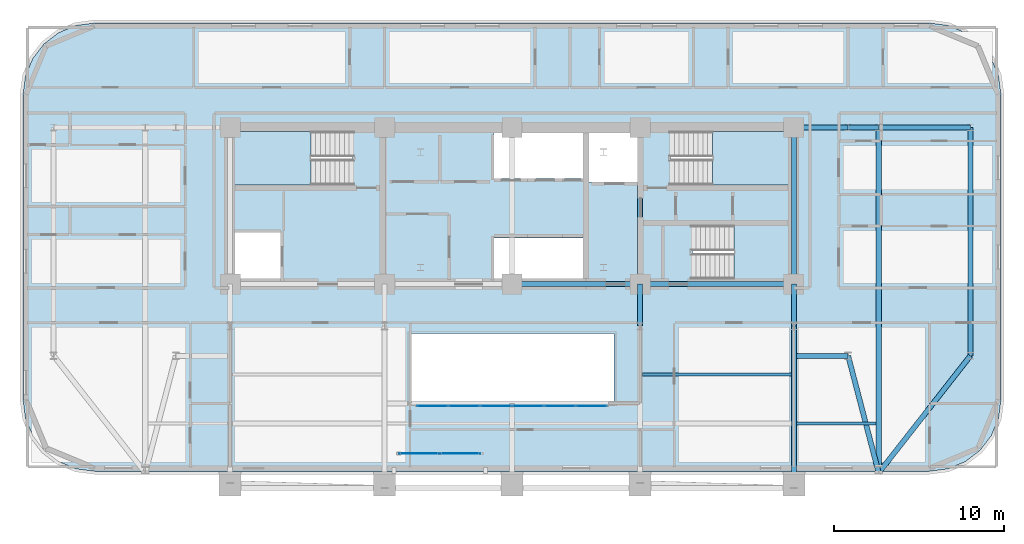
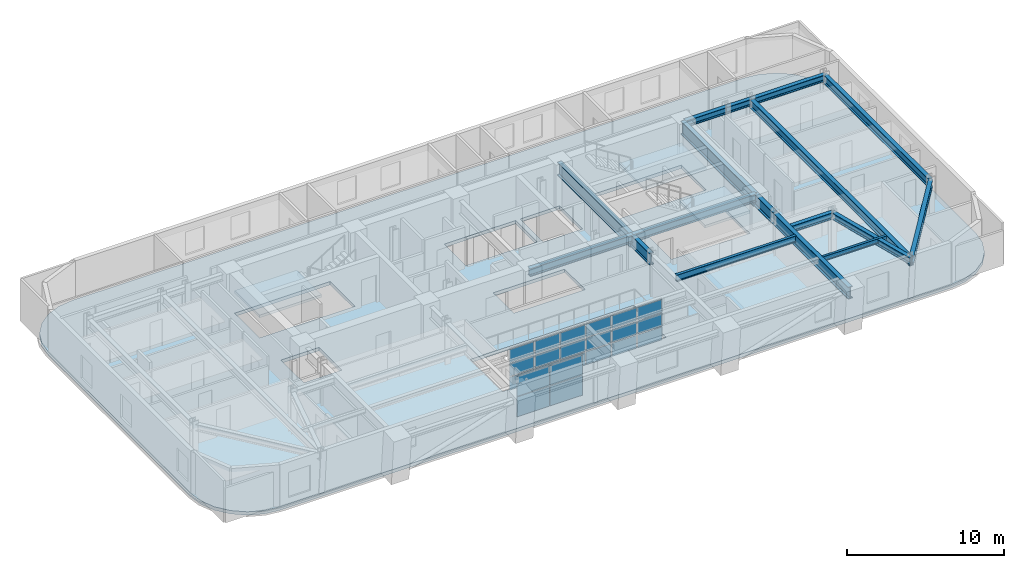
# One storey, part 6 of 15: 22 plates, 17 beams, 4 slabs, 5 elements without a shape of their own.
"""IFC4 building model written with IfcOpenShell, lengths in metres."""

from ifc_helpers import new_model, si_unit, direction, frame, origin, origin_2d, place, context, subcontext, project, spatial, polyline, rectangle, i_section, outline, extrude, material, layer, layer_set, material_profile, profile_set, type_object, element, aggregate, save


model = new_model("IFC4")

# Units and contexts
model_context = context("Model", 3, precision=1e-05, world=origin(), true_north=direction((0.0, 1.0)))
body_context = subcontext(model_context, "Body", "Model", "MODEL_VIEW")
ifc_project = project(units=[si_unit("LENGTHUNIT", "METRE"), si_unit("AREAUNIT", "SQUARE_METRE"), si_unit("VOLUMEUNIT", "CUBIC_METRE"), si_unit("PLANEANGLEUNIT", "RADIAN"), si_unit("MASSUNIT", "GRAM", prefix="KILO")], contexts=[model_context])

# Site, building, storey
site_placement = place(None, origin())
site = spatial("IfcSite", under=ifc_project, at=site_placement, CompositionType="ELEMENT")
building_placement = place(site_placement, origin())
building = spatial("IfcBuilding", under=site, at=building_placement, Name="Zarnavel Station Tower", CompositionType="ELEMENT")
storey_placement = place(building_placement, frame((0.0, 0.0, 111.800048828125)))
storey = spatial("IfcBuildingStorey", under=building, at=storey_placement, Name="L30", CompositionType="ELEMENT", Elevation=111.800048828125)

# Beams
ifc_material_1 = material(Name="Steel S355J2", Category="steel")
ifc_material_profile_1 = material_profile(ifc_material_1, i_section(OverallWidth=0.199951171875, OverallDepth=0.5, WebThickness=0.01025390625, FlangeThickness=0.01611328125, FilletRadius=0.02099609375, at=origin_2d()), Name="IPE500")
ifc_profile_set_1 = profile_set([ifc_material_profile_1], Name="Steel S355J2")
beam_type_1 = type_object("IfcBeamType", Name="FB_IPE500", PredefinedType="BEAM", material=ifc_profile_set_1)
beam_1_placement = place(storey_placement, frame((36.4951171875, 22.5009765625, 2.989990234375), z_axis=(1.0, 0.0, 0.0), x_axis=(0.0, 1.0, 0.0)))
element("IfcBeam", 1, at=beam_1_placement, inside=storey, type_object=beam_type_1, Name="L30 East Bay Beam 2", PredefinedType="BEAM", context=body_context, shape_type="SweptSolid", body=[
    extrude(i_section(OverallWidth=0.199951171875, OverallDepth=0.5, WebThickness=0.01025390625, FlangeThickness=0.01611328125, FilletRadius=0.02099609375, at=origin_2d()), origin(), (0.0, 0.0, 1.0), 8.759765625),
])
ifc_material_2 = material(Name="Steel S355J2", Category="steel")
ifc_material_profile_2 = material_profile(ifc_material_2, i_section(OverallWidth=0.300048828125, OverallDepth=0.5, WebThickness=0.014404296875, FlangeThickness=0.028076171875, FilletRadius=0.027099609375, at=origin_2d()), Name="HEB500")
ifc_profile_set_2 = profile_set([ifc_material_profile_2], Name="Steel S355J2")
beam_type_2 = type_object("IfcBeamType", Name="FG_HEB500", PredefinedType="USERDEFINED", material=ifc_profile_set_2)
for number, where, z_axis, x_axis, name in (
    (2, (45.544921875, 23.60009765625, 2.989990234375), (1.0, 0.0, 0.0), (0.0, 1.0, 0.0), "L30 East Wing South Tie 1"),
    (3, (45.544921875, 37.050048828125, 2.989990234375), (1.0, 0.0, 0.0), (0.0, 1.0, 0.0), "L30 East Wing North Tie 1"),
):
    element("IfcBeam", number, at=place(storey_placement, frame(where, z_axis=z_axis, x_axis=x_axis)), inside=storey, type_object=beam_type_2, Name=name, ObjectType="GIRDER", PredefinedType="USERDEFINED", context=body_context, shape_type="SweptSolid", body=[
        extrude(i_section(OverallWidth=0.300048828125, OverallDepth=0.5, WebThickness=0.014404296875, FlangeThickness=0.028076171875, FilletRadius=0.027099609375, at=origin_2d()), origin(), (0.0, 0.0, 1.0), 3.05517578125),
    ])
beam_2_placement = place(storey_placement, frame((48.60009765625, 23.60009765625, 2.989990234375), z_axis=(0.252533454047, -0.967588163728, 0.0), x_axis=(0.967588163728, 0.252533454047, 0.0)))
element("IfcBeam", 4, at=beam_2_placement, inside=storey, type_object=beam_type_2, Name="L30 East Wing South Tie 2", ObjectType="GIRDER", PredefinedType="USERDEFINED", context=body_context, shape_type="SweptSolid", body=[
    extrude(i_section(OverallWidth=0.300048828125, OverallDepth=0.5, WebThickness=0.014404296875, FlangeThickness=0.028076171875, FilletRadius=0.027099609375, at=origin_2d()), origin(), (0.0, 0.0, 1.0), 7.126953125),
])
beam_3_placement = place(storey_placement, frame((48.60009765625, 37.050048828125, 2.989990234375), z_axis=(1.0, 0.0, 0.0), x_axis=(0.0, 1.0, 0.0)))
element("IfcBeam", 5, at=beam_3_placement, inside=storey, type_object=beam_type_2, Name="L30 East Wing North Tie 2", ObjectType="GIRDER", PredefinedType="USERDEFINED", context=body_context, shape_type="SweptSolid", body=[
    extrude(i_section(OverallWidth=0.300048828125, OverallDepth=0.5, WebThickness=0.014404296875, FlangeThickness=0.028076171875, FilletRadius=0.027099609375, at=origin_2d()), origin(), (0.0, 0.0, 1.0), 1.7998046875),
])
beam_4_placement = place(storey_placement, frame((50.39990234375, 16.7041015625, 2.989990234375), z_axis=(0.616540472914, 0.787323215242, 0.0), x_axis=(-0.787323215242, 0.616540472914, 0.0)))
element("IfcBeam", 6, at=beam_4_placement, inside=storey, type_object=beam_type_2, Name="L30 East Wing South Tie 3", ObjectType="GIRDER", PredefinedType="USERDEFINED", context=body_context, shape_type="SweptSolid", body=[
    extrude(i_section(OverallWidth=0.300048828125, OverallDepth=0.5, WebThickness=0.014404296875, FlangeThickness=0.028076171875, FilletRadius=0.027099609375, at=origin_2d()), origin(), (0.0, 0.0, 1.0), 8.7587890625),
])
beam_5_placement = place(storey_placement, frame((50.39990234375, 37.050048828125, 2.989990234375), z_axis=(1.0, 0.0, 0.0), x_axis=(0.0, 1.0, 0.0)))
element("IfcBeam", 7, at=beam_5_placement, inside=storey, type_object=beam_type_2, Name="L30 East Wing North Tie 3", ObjectType="GIRDER", PredefinedType="USERDEFINED", context=body_context, shape_type="SweptSolid", body=[
    extrude(i_section(OverallWidth=0.300048828125, OverallDepth=0.5, WebThickness=0.014404296875, FlangeThickness=0.028076171875, FilletRadius=0.027099609375, at=origin_2d()), origin(), (0.0, 0.0, 1.0), 5.400146484375),
])
ifc_material_3 = material(Name="Steel S355J2", Category="steel")
ifc_material_profile_3 = material_profile(ifc_material_3, i_section(OverallWidth=0.300048828125, OverallDepth=0.60009765625, WebThickness=0.015380859375, FlangeThickness=0.030029296875, FilletRadius=0.027099609375, at=origin_2d()), Name="HEB600")
ifc_profile_set_3 = profile_set([ifc_material_profile_3], Name="Steel S355J2")
beam_type_3 = type_object("IfcBeamType", Name="FG_HEB600", PredefinedType="USERDEFINED", material=ifc_profile_set_3)
beam_6_placement = place(storey_placement, frame((28.800048828125, 27.820068359375, 2.93994140625), z_axis=(1.0, 0.0, 0.0), x_axis=(0.0, 1.0, 0.0)))
element("IfcBeam", 8, at=beam_6_placement, inside=storey, type_object=beam_type_3, Name="L30 Core Front Coupling Beam 3", ObjectType="GIRDER", PredefinedType="USERDEFINED", context=body_context, shape_type="SweptSolid", body=[
    extrude(i_section(OverallWidth=0.300048828125, OverallDepth=0.60009765625, WebThickness=0.015380859375, FlangeThickness=0.030029296875, FilletRadius=0.027099609375, at=origin_2d()), origin(), (0.0, 0.0, 1.0), 7.550048828125),
])
beam_7_placement = place(storey_placement, frame((36.35009765625, 27.820068359375, 2.93994140625), z_axis=(1.0, 0.0, 0.0), x_axis=(0.0, 1.0, 0.0)))
element("IfcBeam", 9, at=beam_7_placement, inside=storey, type_object=beam_type_3, Name="L30 Core Front Coupling Beam 4", ObjectType="GIRDER", PredefinedType="USERDEFINED", context=body_context, shape_type="SweptSolid", body=[
    extrude(i_section(OverallWidth=0.300048828125, OverallDepth=0.60009765625, WebThickness=0.015380859375, FlangeThickness=0.030029296875, FilletRadius=0.027099609375, at=origin_2d()), origin(), (0.0, 0.0, 1.0), 9.0498046875),
])
ifc_material_4 = material(Name="Steel S355J2", Category="steel")
ifc_material_profile_4 = material_profile(ifc_material_4, i_section(OverallWidth=0.300048828125, OverallDepth=0.64990234375, WebThickness=0.01611328125, FlangeThickness=0.031005859375, FilletRadius=0.027099609375, at=origin_2d()), Name="HEB650")
ifc_profile_set_4 = profile_set([ifc_material_profile_4], Name="Steel S355J2")
beam_type_4 = type_object("IfcBeamType", Name="FG_HEB650", PredefinedType="USERDEFINED", material=ifc_profile_set_4)
beam_8_placement = place(storey_placement, frame((50.39990234375, 16.7041015625, 2.9150390625), z_axis=(0.0, 1.0, 0.0), x_axis=(-1.0, 0.0, 0.0)))
element("IfcBeam", 10, at=beam_8_placement, inside=storey, type_object=beam_type_4, Name="L30 Wing NS Girder 3", ObjectType="GIRDER", PredefinedType="USERDEFINED", context=body_context, shape_type="SweptSolid", body=[
    extrude(i_section(OverallWidth=0.300048828125, OverallDepth=0.64990234375, WebThickness=0.01611328125, FlangeThickness=0.031005859375, FilletRadius=0.027099609375, at=origin_2d()), origin(), (0.0, 0.0, 1.0), 20.345947265625),
])
beam_9_placement = place(storey_placement, frame((55.800048828125, 23.60009765625, 2.9150390625), z_axis=(0.0, 1.0, 0.0), x_axis=(-1.0, 0.0, 0.0)))
element("IfcBeam", 11, at=beam_9_placement, inside=storey, type_object=beam_type_4, Name="L30 Wing NS Girder 4", ObjectType="GIRDER", PredefinedType="USERDEFINED", context=body_context, shape_type="SweptSolid", body=[
    extrude(i_section(OverallWidth=0.300048828125, OverallDepth=0.64990234375, WebThickness=0.01611328125, FlangeThickness=0.031005859375, FilletRadius=0.027099609375, at=origin_2d()), origin(), (0.0, 0.0, 1.0), 13.449951171875),
])
ifc_material_5 = material(Name="Steel S355J2", Category="steel")
ifc_material_profile_5 = material_profile(ifc_material_5, i_section(OverallWidth=0.169921875, OverallDepth=0.360107421875, WebThickness=0.008056640625, FlangeThickness=0.0126953125, FilletRadius=0.01806640625, at=origin_2d()), Name="IPE360")
ifc_profile_set_5 = profile_set([ifc_material_profile_5], Name="Steel S355J2")
beam_type_5 = type_object("IfcBeamType", Name="FJ_IPE360", PredefinedType="JOIST", material=ifc_profile_set_5)
beam_10_placement = place(storey_placement, frame((45.544921875, 19.60205078125, 3.06005859375), z_axis=(1.0, 0.0, 0.0), x_axis=(0.0, 1.0, 0.0)))
element("IfcBeam", 12, at=beam_10_placement, inside=storey, type_object=beam_type_5, Name="L30 East Wing Joist 1", PredefinedType="JOIST", context=body_context, shape_type="SweptSolid", body=[
    extrude(i_section(OverallWidth=0.169921875, OverallDepth=0.360107421875, WebThickness=0.008056640625, FlangeThickness=0.0126953125, FilletRadius=0.01806640625, at=origin_2d()), origin(), (0.0, 0.0, 1.0), 4.7099609375),
])
ifc_material_6 = material(Name="Steel S460M", Category="steel")
ifc_material_profile_6 = material_profile(ifc_material_6, i_section(OverallWidth=0.302001953125, OverallDepth=1.008056640625, WebThickness=0.02099609375, FlangeThickness=0.0400390625, FilletRadius=0.030029296875, at=origin_2d()), Name="HEM1000")
ifc_profile_set_6 = profile_set([ifc_material_profile_6], Name="Steel S460M")
beam_type_6 = type_object("IfcBeamType", Name="TG_HEM1000", PredefinedType="USERDEFINED", material=ifc_profile_set_6)
for number, where, z_axis, x_axis, name in (
    (13, (36.35009765625, 27.820068359375, 2.73583984375), (0.0, 1.0, 0.0), (-1.0, 0.0, 0.0), "L30 Core Spine Coupling Girder 4"),
    (14, (45.39990234375, 27.820068359375, 2.73583984375), (0.0, 1.0, 0.0), (-1.0, 0.0, 0.0), "L30 Core Spine Coupling Girder 5"),
):
    element("IfcBeam", number, at=place(storey_placement, frame(where, z_axis=z_axis, x_axis=x_axis)), inside=storey, type_object=beam_type_6, Name=name, ObjectType="GIRDER", PredefinedType="USERDEFINED", context=body_context, shape_type="SweptSolid", body=[
        extrude(i_section(OverallWidth=0.302001953125, OverallDepth=1.008056640625, WebThickness=0.02099609375, FlangeThickness=0.0400390625, FilletRadius=0.030029296875, at=origin_2d()), origin(), (0.0, 0.0, 1.0), 9.22998046875),
    ])
ifc_material_7 = material(Name="Steel S460M", Category="steel")
ifc_material_profile_7 = material_profile(ifc_material_7, i_section(OverallWidth=0.302001953125, OverallDepth=0.909912109375, WebThickness=0.02099609375, FlangeThickness=0.0400390625, FilletRadius=0.030029296875, at=origin_2d()), Name="HEM900")
ifc_profile_set_7 = profile_set([ifc_material_profile_7], Name="Steel S460M")
beam_type_7 = type_object("IfcBeamType", Name="TG_HEM900", PredefinedType="USERDEFINED", material=ifc_profile_set_7)
beam_11_placement = place(storey_placement, frame((36.35009765625, 25.35009765625, 2.784912109375), z_axis=(0.0, 1.0, 0.0), x_axis=(-1.0, 0.0, 0.0)))
element("IfcBeam", 15, at=beam_11_placement, inside=storey, type_object=beam_type_7, Name="L30 Inner-Zone NS Girder 4", ObjectType="GIRDER", PredefinedType="USERDEFINED", context=body_context, shape_type="SweptSolid", body=[
    extrude(i_section(OverallWidth=0.302001953125, OverallDepth=0.909912109375, WebThickness=0.02099609375, FlangeThickness=0.0400390625, FilletRadius=0.030029296875, at=origin_2d()), origin(), (0.0, 0.0, 1.0), 2.469970703125),
])
beam_12_placement = place(storey_placement, frame((45.39990234375, 15.802978515625, 2.784912109375), z_axis=(0.0, 1.0, 0.0), x_axis=(-1.0, 0.0, 0.0)))
element("IfcBeam", 16, at=beam_12_placement, inside=storey, type_object=beam_type_7, Name="L30 South-Zone NS Girder 5", ObjectType="GIRDER", PredefinedType="USERDEFINED", context=body_context, shape_type="SweptSolid", body=[
    extrude(i_section(OverallWidth=0.302001953125, OverallDepth=0.909912109375, WebThickness=0.02099609375, FlangeThickness=0.0400390625, FilletRadius=0.030029296875, at=origin_2d()), origin(), (0.0, 0.0, 1.0), 9.547119140625),
])
beam_13_placement = place(storey_placement, frame((45.39990234375, 25.35009765625, 2.784912109375), z_axis=(0.0, 1.0, 0.0), x_axis=(-1.0, 0.0, 0.0)))
element("IfcBeam", 17, at=beam_13_placement, inside=storey, type_object=beam_type_7, Name="L30 Inner-Zone NS Girder 5", ObjectType="GIRDER", PredefinedType="USERDEFINED", context=body_context, shape_type="SweptSolid", body=[
    extrude(i_section(OverallWidth=0.302001953125, OverallDepth=0.909912109375, WebThickness=0.02099609375, FlangeThickness=0.0400390625, FilletRadius=0.030029296875, at=origin_2d()), origin(), (0.0, 0.0, 1.0), 2.469970703125),
])

# Curtain wall, plates
ifc_material_8 = material(Name="Aluminium Dark Anodised and Solar-Control Glass", Category="aluminium")
ifc_layer_1 = layer(ifc_material_8, 0.179931640625)
ifc_layer_set_1 = layer_set([ifc_layer_1], Name="CWS3")
curtain_wall_type_1 = type_object("IfcCurtainWallType", Name="CWS3", PredefinedType="NOTDEFINED", material=ifc_layer_set_1)
curtain_wall_1_placement = place(storey_placement, origin())
curtain_wall_1 = element("IfcCurtainWall", 18, at=curtain_wall_1_placement, inside=storey, type_object=curtain_wall_type_1, Name="L30 Curtain Wall CWS3-L30-AS", PredefinedType="NOTDEFINED")
ifc_material_9 = material(Name="Double Low-E Dark Solar-Control Glass", Category="glass")
ifc_layer_2 = layer(ifc_material_9, 0.030029296875)
ifc_layer_set_2 = layer_set([ifc_layer_2], Name="CWS3_PNL")
plate_type_1 = type_object("IfcPlateType", Name="CWS3_PNL", PredefinedType="CURTAIN_PANEL", material=ifc_layer_set_2)
plate_1_placement = place(storey_placement, frame((24.106689453125, 20.64990234375, 0.06005859375), z_axis=(0.0, 0.0, 1.0), x_axis=(1.0, 0.0, 0.0)))
plate_1 = element("IfcPlate", 19, at=plate_1_placement, type_object=plate_type_1, Name="CW3 panel 1.1", PredefinedType="CURTAIN_PANEL", context=body_context, shape_type="SweptSolid", body=[
    extrude(rectangle(XDim=1.793212890625, YDim=0.028076171875, at=origin_2d()), origin(), (0.0, 0.0, 1.0), 0.989990234375),
])
plate_2_placement = place(storey_placement, frame((24.106689453125, 20.64990234375, 1.10986328125), z_axis=(0.0, 0.0, 1.0), x_axis=(1.0, 0.0, 0.0)))
plate_2 = element("IfcPlate", 20, at=plate_2_placement, type_object=plate_type_1, Name="CW3 panel 1.2", PredefinedType="CURTAIN_PANEL", context=body_context, shape_type="SweptSolid", body=[
    extrude(rectangle(XDim=1.793212890625, YDim=0.028076171875, at=origin_2d()), origin(), (0.0, 0.0, 1.0), 1.02001953125),
])
plate_3_placement = place(storey_placement, frame((24.106689453125, 20.64990234375, 2.18994140625), z_axis=(0.0, 0.0, 1.0), x_axis=(1.0, 0.0, 0.0)))
plate_3 = element("IfcPlate", 21, at=plate_3_placement, type_object=plate_type_1, Name="CW3 panel 1.3", PredefinedType="CURTAIN_PANEL", context=body_context, shape_type="SweptSolid", body=[
    extrude(rectangle(XDim=1.793212890625, YDim=0.028076171875, at=origin_2d()), origin(), (0.0, 0.0, 1.0), 0.989990234375),
])
plate_4_placement = place(storey_placement, frame((25.97509765625, 20.64990234375, 0.06005859375), z_axis=(0.0, 0.0, 1.0), x_axis=(1.0, 0.0, 0.0)))
plate_4 = element("IfcPlate", 22, at=plate_4_placement, type_object=plate_type_1, Name="CW3 panel 2.1", PredefinedType="CURTAIN_PANEL", context=body_context, shape_type="SweptSolid", body=[
    extrude(rectangle(XDim=1.8232421875, YDim=0.028076171875, at=origin_2d()), origin(), (0.0, 0.0, 1.0), 0.989990234375),
])
plate_5_placement = place(storey_placement, frame((25.97509765625, 20.64990234375, 1.10986328125), z_axis=(0.0, 0.0, 1.0), x_axis=(1.0, 0.0, 0.0)))
plate_5 = element("IfcPlate", 23, at=plate_5_placement, type_object=plate_type_1, Name="CW3 panel 2.2", PredefinedType="CURTAIN_PANEL", context=body_context, shape_type="SweptSolid", body=[
    extrude(rectangle(XDim=1.8232421875, YDim=0.028076171875, at=origin_2d()), origin(), (0.0, 0.0, 1.0), 1.02001953125),
])
plate_6_placement = place(storey_placement, frame((25.97509765625, 20.64990234375, 2.18994140625), z_axis=(0.0, 0.0, 1.0), x_axis=(1.0, 0.0, 0.0)))
plate_6 = element("IfcPlate", 24, at=plate_6_placement, type_object=plate_type_1, Name="CW3 panel 2.3", PredefinedType="CURTAIN_PANEL", context=body_context, shape_type="SweptSolid", body=[
    extrude(rectangle(XDim=1.8232421875, YDim=0.028076171875, at=origin_2d()), origin(), (0.0, 0.0, 1.0), 0.989990234375),
])
plate_7_placement = place(storey_placement, frame((27.8583984375, 20.64990234375, 0.06005859375), z_axis=(0.0, 0.0, 1.0), x_axis=(1.0, 0.0, 0.0)))
plate_7 = element("IfcPlate", 25, at=plate_7_placement, type_object=plate_type_1, Name="CW3 panel 3.1", PredefinedType="CURTAIN_PANEL", context=body_context, shape_type="SweptSolid", body=[
    extrude(rectangle(XDim=1.8232421875, YDim=0.028076171875, at=origin_2d()), origin(), (0.0, 0.0, 1.0), 0.989990234375),
])
plate_8_placement = place(storey_placement, frame((27.8583984375, 20.64990234375, 1.10986328125), z_axis=(0.0, 0.0, 1.0), x_axis=(1.0, 0.0, 0.0)))
plate_8 = element("IfcPlate", 26, at=plate_8_placement, type_object=plate_type_1, Name="CW3 panel 3.2", PredefinedType="CURTAIN_PANEL", context=body_context, shape_type="SweptSolid", body=[
    extrude(rectangle(XDim=1.8232421875, YDim=0.028076171875, at=origin_2d()), origin(), (0.0, 0.0, 1.0), 1.02001953125),
])
plate_9_placement = place(storey_placement, frame((27.8583984375, 20.64990234375, 2.18994140625), z_axis=(0.0, 0.0, 1.0), x_axis=(1.0, 0.0, 0.0)))
plate_9 = element("IfcPlate", 27, at=plate_9_placement, type_object=plate_type_1, Name="CW3 panel 3.3", PredefinedType="CURTAIN_PANEL", context=body_context, shape_type="SweptSolid", body=[
    extrude(rectangle(XDim=1.8232421875, YDim=0.028076171875, at=origin_2d()), origin(), (0.0, 0.0, 1.0), 0.989990234375),
])
plate_10_placement = place(storey_placement, frame((29.74169921875, 20.64990234375, 0.06005859375), z_axis=(0.0, 0.0, 1.0), x_axis=(1.0, 0.0, 0.0)))
plate_10 = element("IfcPlate", 28, at=plate_10_placement, type_object=plate_type_1, Name="CW3 panel 4.1", PredefinedType="CURTAIN_PANEL", context=body_context, shape_type="SweptSolid", body=[
    extrude(rectangle(XDim=1.8232421875, YDim=0.028076171875, at=origin_2d()), origin(), (0.0, 0.0, 1.0), 0.989990234375),
])
plate_11_placement = place(storey_placement, frame((29.74169921875, 20.64990234375, 1.10986328125), z_axis=(0.0, 0.0, 1.0), x_axis=(1.0, 0.0, 0.0)))
plate_11 = element("IfcPlate", 29, at=plate_11_placement, type_object=plate_type_1, Name="CW3 panel 4.2", PredefinedType="CURTAIN_PANEL", context=body_context, shape_type="SweptSolid", body=[
    extrude(rectangle(XDim=1.8232421875, YDim=0.028076171875, at=origin_2d()), origin(), (0.0, 0.0, 1.0), 1.02001953125),
])
plate_12_placement = place(storey_placement, frame((29.74169921875, 20.64990234375, 2.18994140625), z_axis=(0.0, 0.0, 1.0), x_axis=(1.0, 0.0, 0.0)))
plate_12 = element("IfcPlate", 30, at=plate_12_placement, type_object=plate_type_1, Name="CW3 panel 4.3", PredefinedType="CURTAIN_PANEL", context=body_context, shape_type="SweptSolid", body=[
    extrude(rectangle(XDim=1.8232421875, YDim=0.028076171875, at=origin_2d()), origin(), (0.0, 0.0, 1.0), 0.989990234375),
])
plate_13_placement = place(storey_placement, frame((31.625, 20.64990234375, 0.06005859375), z_axis=(0.0, 0.0, 1.0), x_axis=(1.0, 0.0, 0.0)))
plate_13 = element("IfcPlate", 31, at=plate_13_placement, type_object=plate_type_1, Name="CW3 panel 5.1", PredefinedType="CURTAIN_PANEL", context=body_context, shape_type="SweptSolid", body=[
    extrude(rectangle(XDim=1.8232421875, YDim=0.028076171875, at=origin_2d()), origin(), (0.0, 0.0, 1.0), 0.989990234375),
])
plate_14_placement = place(storey_placement, frame((31.625, 20.64990234375, 1.10986328125), z_axis=(0.0, 0.0, 1.0), x_axis=(1.0, 0.0, 0.0)))
plate_14 = element("IfcPlate", 32, at=plate_14_placement, type_object=plate_type_1, Name="CW3 panel 5.2", PredefinedType="CURTAIN_PANEL", context=body_context, shape_type="SweptSolid", body=[
    extrude(rectangle(XDim=1.8232421875, YDim=0.028076171875, at=origin_2d()), origin(), (0.0, 0.0, 1.0), 1.02001953125),
])
plate_15_placement = place(storey_placement, frame((31.625, 20.64990234375, 2.18994140625), z_axis=(0.0, 0.0, 1.0), x_axis=(1.0, 0.0, 0.0)))
plate_15 = element("IfcPlate", 33, at=plate_15_placement, type_object=plate_type_1, Name="CW3 panel 5.3", PredefinedType="CURTAIN_PANEL", context=body_context, shape_type="SweptSolid", body=[
    extrude(rectangle(XDim=1.8232421875, YDim=0.028076171875, at=origin_2d()), origin(), (0.0, 0.0, 1.0), 0.989990234375),
])
plate_16_placement = place(storey_placement, frame((33.493408203125, 20.64990234375, 0.06005859375), z_axis=(0.0, 0.0, 1.0), x_axis=(1.0, 0.0, 0.0)))
plate_16 = element("IfcPlate", 34, at=plate_16_placement, type_object=plate_type_1, Name="CW3 panel 6.1", PredefinedType="CURTAIN_PANEL", context=body_context, shape_type="SweptSolid", body=[
    extrude(rectangle(XDim=1.793212890625, YDim=0.028076171875, at=origin_2d()), origin(), (0.0, 0.0, 1.0), 0.989990234375),
])
plate_17_placement = place(storey_placement, frame((33.493408203125, 20.64990234375, 1.10986328125), z_axis=(0.0, 0.0, 1.0), x_axis=(1.0, 0.0, 0.0)))
plate_17 = element("IfcPlate", 35, at=plate_17_placement, type_object=plate_type_1, Name="CW3 panel 6.2", PredefinedType="CURTAIN_PANEL", context=body_context, shape_type="SweptSolid", body=[
    extrude(rectangle(XDim=1.793212890625, YDim=0.028076171875, at=origin_2d()), origin(), (0.0, 0.0, 1.0), 1.02001953125),
])
plate_18_placement = place(storey_placement, frame((33.493408203125, 20.64990234375, 2.18994140625), z_axis=(0.0, 0.0, 1.0), x_axis=(1.0, 0.0, 0.0)))
plate_18 = element("IfcPlate", 36, at=plate_18_placement, type_object=plate_type_1, Name="CW3 panel 6.3", PredefinedType="CURTAIN_PANEL", context=body_context, shape_type="SweptSolid", body=[
    extrude(rectangle(XDim=1.793212890625, YDim=0.028076171875, at=origin_2d()), origin(), (0.0, 0.0, 1.0), 0.989990234375),
])
aggregate(curtain_wall_1, [plate_1, plate_2, plate_3, plate_4, plate_5, plate_6, plate_7, plate_8, plate_9, plate_10, plate_11, plate_12, plate_13, plate_14, plate_15, plate_16, plate_17, plate_18])

ifc_material_10 = material(Name="Aluminium Dark Anodised and Solar-Control Glass", Category="aluminium")
ifc_layer_3 = layer(ifc_material_10, 0.179931640625)
ifc_layer_set_3 = layer_set([ifc_layer_3], Name="CWS6")
curtain_wall_type_2 = type_object("IfcCurtainWallType", Name="CWS6", PredefinedType="NOTDEFINED", material=ifc_layer_set_3)
curtain_wall_2_placement = place(storey_placement, origin())
curtain_wall_2 = element("IfcCurtainWall", 37, at=curtain_wall_2_placement, inside=storey, type_object=curtain_wall_type_2, Name="L30 Curtain Wall CWS6-LOG-L30", PredefinedType="NOTDEFINED")
ifc_material_11 = material(Name="Double Low-E Dark Solar-Control Glass", Category="glass")
ifc_layer_4 = layer(ifc_material_11, 0.0380859375)
ifc_layer_set_4 = layer_set([ifc_layer_4], Name="CWS6_PNL")
plate_type_2 = type_object("IfcPlateType", Name="CWS6_PNL", PredefinedType="CURTAIN_PANEL", material=ifc_layer_set_4)
plate_19_placement = place(storey_placement, frame((23.340087890625, 17.85009765625, 0.06005859375), z_axis=(0.0, 0.0, 1.0), x_axis=(1.0, 0.0, 0.0)))
plate_19 = element("IfcPlate", 38, at=plate_19_placement, type_object=plate_type_2, Name="CW6 panel 1.1", PredefinedType="CURTAIN_PANEL", context=body_context, shape_type="SweptSolid", body=[
    extrude(rectangle(XDim=2.360107421875, YDim=0.028076171875, at=origin_2d()), origin(), (0.0, 0.0, 1.0), 1.530029296875),
])
plate_20_placement = place(storey_placement, frame((23.340087890625, 17.85009765625, 1.64990234375), z_axis=(0.0, 0.0, 1.0), x_axis=(1.0, 0.0, 0.0)))
plate_20 = element("IfcPlate", 39, at=plate_20_placement, type_object=plate_type_2, Name="CW6 panel 1.2", PredefinedType="CURTAIN_PANEL", context=body_context, shape_type="SweptSolid", body=[
    extrude(rectangle(XDim=2.360107421875, YDim=0.028076171875, at=origin_2d()), origin(), (0.0, 0.0, 1.0), 1.530029296875),
])
plate_21_placement = place(storey_placement, frame((25.760009765625, 17.85009765625, 0.06005859375), z_axis=(0.0, 0.0, 1.0), x_axis=(1.0, 0.0, 0.0)))
plate_21 = element("IfcPlate", 40, at=plate_21_placement, type_object=plate_type_2, Name="CW6 panel 2.1", PredefinedType="CURTAIN_PANEL", context=body_context, shape_type="SweptSolid", body=[
    extrude(rectangle(XDim=2.360107421875, YDim=0.028076171875, at=origin_2d()), origin(), (0.0, 0.0, 1.0), 1.530029296875),
])
plate_22_placement = place(storey_placement, frame((25.760009765625, 17.85009765625, 1.64990234375), z_axis=(0.0, 0.0, 1.0), x_axis=(1.0, 0.0, 0.0)))
plate_22 = element("IfcPlate", 41, at=plate_22_placement, type_object=plate_type_2, Name="CW6 panel 2.2", PredefinedType="CURTAIN_PANEL", context=body_context, shape_type="SweptSolid", body=[
    extrude(rectangle(XDim=2.360107421875, YDim=0.028076171875, at=origin_2d()), origin(), (0.0, 0.0, 1.0), 1.530029296875),
])
aggregate(curtain_wall_2, [plate_19, plate_20, plate_21, plate_22])

# Slab
ifc_material_12 = material(Name="Concrete C45/55", Category="concrete")
ifc_layer_5 = layer(ifc_material_12, 0.260009765625)
ifc_layer_set_5 = layer_set([ifc_layer_5], Name="SL_FLR_260")
slab_type_1 = type_object("IfcSlabType", Name="SL_FLR_260", PredefinedType="FLOOR", material=ifc_layer_set_5)
slab_1_placement = place(storey_placement, frame((0.0, 0.0, -0.260009765625)))
element("IfcSlab", 42, at=slab_1_placement, inside=storey, type_object=slab_type_1, Name="L30 Structural Floor Slab", PredefinedType="FLOOR", context=body_context, shape_type="SweptSolid", body=[
    extrude(outline(polyline([(53.39990234375, 16.800048828125), (54.487060546875, 16.943115234375), (55.5, 17.36279296875), (56.369873046875, 18.0302734375), (57.037353515625, 18.89990234375), (57.456787109375, 19.9130859375), (57.60009765625, 21.0), (57.60009765625, 39.0), (57.456787109375, 40.0869140625), (57.037353515625, 41.10009765625), (56.369873046875, 41.9697265625), (55.5, 42.63720703125), (54.487060546875, 43.056884765625), (53.39990234375, 43.199951171875), (4.199951171875, 43.199951171875), (3.113037109375, 43.056884765625), (2.10009765625, 42.63720703125), (1.230224609375, 41.9697265625), (0.562744140625, 41.10009765625), (0.14306640625, 40.0869140625), (0.0, 39.0), (0.0, 21.0), (0.14306640625, 19.9130859375), (0.562744140625, 18.89990234375), (1.230224609375, 18.0302734375), (2.10009765625, 17.36279296875), (3.113037109375, 16.943115234375), (4.199951171875, 16.800048828125), (53.39990234375, 16.800048828125)]), holes=[polyline([(12.39990234375, 33.659912109375), (19.409912109375, 33.659912109375), (19.409912109375, 36.820068359375), (12.39990234375, 36.820068359375), (12.39990234375, 33.659912109375)]), polyline([(38.14990234375, 33.659912109375), (45.159912109375, 33.659912109375), (45.159912109375, 36.820068359375), (38.14990234375, 36.820068359375), (38.14990234375, 33.659912109375)]), polyline([(39.419921875, 28.1201171875), (45.14990234375, 28.1201171875), (45.14990234375, 31.280029296875), (39.419921875, 31.280029296875), (39.419921875, 28.1201171875)]), polyline([(12.35009765625, 27.949951171875), (15.14990234375, 27.949951171875), (15.14990234375, 30.85009765625), (12.35009765625, 30.85009765625), (12.35009765625, 27.949951171875)]), polyline([(33.320068359375, 33.85009765625), (36.2099609375, 33.85009765625), (36.2099609375, 36.780029296875), (33.320068359375, 36.780029296875), (33.320068359375, 33.85009765625)]), polyline([(27.75, 34.050048828125), (32.97998046875, 34.050048828125), (32.97998046875, 36.780029296875), (27.75, 36.780029296875), (27.75, 34.050048828125)]), polyline([(27.75, 27.949951171875), (32.97998046875, 27.949951171875), (32.97998046875, 30.550048828125), (27.75, 30.550048828125), (27.75, 27.949951171875)]), polyline([(22.800048828125, 20.800048828125), (34.800048828125, 20.800048828125), (34.800048828125, 24.89990234375), (22.800048828125, 24.89990234375), (22.800048828125, 20.800048828125)])]), origin(), (0.0, 0.0, 1.0), 0.260009765625),
])

# Stair, slab
ifc_material_13 = material(Name="Concrete C45/55", Category="concrete")
stair_type = type_object("IfcStairType", Name="ST_CORE_150", PredefinedType="HALF_TURN_STAIR", material=ifc_material_13)
stair_1_placement = place(storey_placement, origin())
stair_1 = element("IfcStair", 43, at=stair_1_placement, inside=storey, type_object=stair_type, Name="L30 Core Exit Stair ST1", PredefinedType="HALF_TURN_STAIR")
ifc_material_14 = material(Name="Concrete C45/55", Category="concrete")
ifc_layer_6 = layer(ifc_material_14, 0.199951171875)
ifc_layer_set_6 = layer_set([ifc_layer_6], Name="SL_STAIR_LAND_200")
slab_type_2 = type_object("IfcSlabType", Name="SL_STAIR_LAND_200", PredefinedType="LANDING", material=ifc_layer_set_6)
slab_2_placement = place(storey_placement, frame((0.0, 0.0, 1.550048828125)))
slab_2 = element("IfcSlab", 44, at=slab_2_placement, type_object=slab_type_2, Name="ST1 landing 1", PredefinedType="LANDING", context=body_context, shape_type="SweptSolid", body=[
    extrude(outline(polyline([(16.9599609375, 36.820068359375), (12.39990234375, 36.820068359375), (12.39990234375, 33.659912109375), (16.9599609375, 33.659912109375), (16.9599609375, 36.820068359375)])), origin(), (0.0, 0.0, 1.0), 0.199951171875),
])
aggregate(stair_1, [slab_2])

stair_2_placement = place(storey_placement, origin())
stair_2 = element("IfcStair", 45, at=stair_2_placement, inside=storey, type_object=stair_type, Name="L30 Core Exit Stair ST2", PredefinedType="HALF_TURN_STAIR")
slab_3_placement = place(storey_placement, frame((0.0, 0.0, 1.550048828125)))
slab_3 = element("IfcSlab", 46, at=slab_3_placement, type_object=slab_type_2, Name="ST2 landing 1", PredefinedType="LANDING", context=body_context, shape_type="SweptSolid", body=[
    extrude(outline(polyline([(40.60009765625, 33.659912109375), (45.159912109375, 33.659912109375), (45.159912109375, 36.820068359375), (40.60009765625, 36.820068359375), (40.60009765625, 33.659912109375)])), origin(), (0.0, 0.0, 1.0), 0.199951171875),
])
aggregate(stair_2, [slab_3])

stair_3_placement = place(storey_placement, origin())
stair_3 = element("IfcStair", 47, at=stair_3_placement, inside=storey, type_object=stair_type, Name="L30 Core Exit Stair ST3", PredefinedType="HALF_TURN_STAIR")
slab_4_placement = place(storey_placement, frame((0.0, 0.0, 1.550048828125)))
slab_4 = element("IfcSlab", 48, at=slab_4_placement, type_object=slab_type_2, Name="ST3 landing 1", PredefinedType="LANDING", context=body_context, shape_type="SweptSolid", body=[
    extrude(outline(polyline([(41.8701171875, 28.1201171875), (45.14990234375, 28.1201171875), (45.14990234375, 31.280029296875), (41.8701171875, 31.280029296875), (41.8701171875, 28.1201171875)])), origin(), (0.0, 0.0, 1.0), 0.199951171875),
])
aggregate(stair_3, [slab_4])

save(model, "model.ifc")
